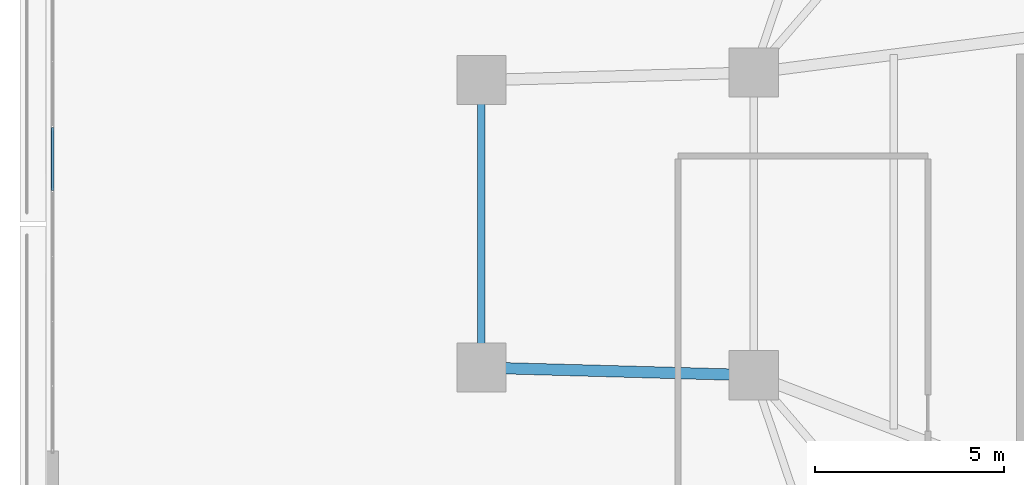
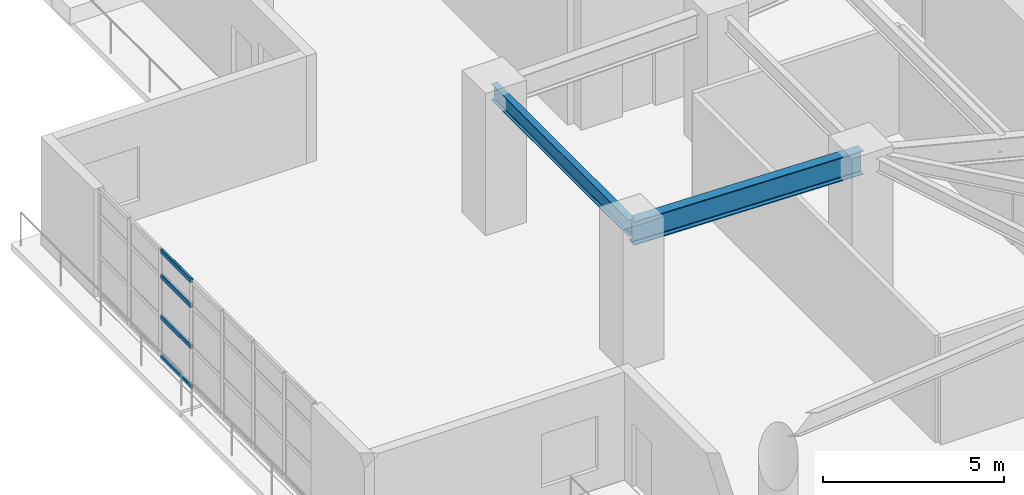
# One storey, part 5 of 23: 4 members, 2 beams, 1 element without a shape of its own.
"""IFC4 building model written with IfcOpenShell, lengths in metres."""

from ifc_helpers import new_model, si_unit, direction, frame, origin, origin_2d, place, context, subcontext, project, spatial, hollow_rectangle, i_section, extrude, material, layer, layer_set, material_profile, profile_set, type_object, element, aggregate, save


model = new_model("IFC4")

# Units and contexts
model_context = context("Model", 3, precision=1e-05, world=origin(), true_north=direction((0.0, 1.0)))
body_context = subcontext(model_context, "Body", "Model", "MODEL_VIEW")
ifc_project = project(units=[si_unit("LENGTHUNIT", "METRE"), si_unit("AREAUNIT", "SQUARE_METRE"), si_unit("VOLUMEUNIT", "CUBIC_METRE"), si_unit("PLANEANGLEUNIT", "RADIAN"), si_unit("MASSUNIT", "GRAM", prefix="KILO")], contexts=[model_context])

# Site, building, storey
site_placement = place(None, origin())
site = spatial("IfcSite", under=ifc_project, at=site_placement, CompositionType="ELEMENT")
building_placement = place(site_placement, origin())
building = spatial("IfcBuilding", under=site, at=building_placement, Name="Qingluan Cross Belvedere", CompositionType="ELEMENT")
storey_placement = place(building_placement, frame((0.0, 0.0, 5.39990234375)))
storey = spatial("IfcBuildingStorey", under=building, at=storey_placement, Name="L02", CompositionType="ELEMENT", Elevation=5.39990234375)

# Curtain wall, members
ifc_material_1 = material(Name="Thermally broken aluminium and Low-E glass", Category="aluminium")
ifc_layer = layer(ifc_material_1, 0.199951171875, Name="UnitisedCW_PodiumArrival")
ifc_layer_set = layer_set([ifc_layer], Name="Thermally broken aluminium and Low-E glass")
curtain_wall_type = type_object("IfcCurtainWallType", Name="UnitisedCW_PodiumArrival", PredefinedType="USERDEFINED", material=ifc_layer_set)
curtain_wall_placement = place(storey_placement, origin())
curtain_wall = element("IfcCurtainWall", 1, at=curtain_wall_placement, inside=storey, type_object=curtain_wall_type, Name="UnitisedCW_PodiumArrival run env:cw:L02:W", ObjectType="UNITISED CURTAIN WALL", PredefinedType="USERDEFINED")
ifc_material_2 = material(Name="Aluminium alloy 6063-T6", Category="aluminium")
ifc_material_profile_1 = material_profile(ifc_material_2, hollow_rectangle(XDim=0.074951171875, YDim=0.14990234375, WallThickness=0.00390625, InnerFilletRadius=0.00390625, OuterFilletRadius=0.008056640625, at=origin_2d()), Name="CWT150x75x4")
ifc_profile_set_1 = profile_set([ifc_material_profile_1], Name="Aluminium alloy 6063-T6")
member_type = type_object("IfcMemberType", Name="CWTransom_150", PredefinedType="USERDEFINED", material=ifc_profile_set_1)
member_1_placement = place(storey_placement, frame((-38.340087890625, 0.88720703125, 0.030029296875), z_axis=(0.0, 1.0, 0.0), x_axis=(-1.0, 0.0, 0.0)))
member_1 = element("IfcMember", 2, at=member_1_placement, type_object=member_type, Name="CW-P1 transom 5.1", ObjectType="TRANSOM", PredefinedType="USERDEFINED", context=body_context, shape_type="SweptSolid", body=[
    extrude(hollow_rectangle(XDim=0.074951171875, YDim=0.14990234375, WallThickness=0.00390625, InnerFilletRadius=0.00390625, OuterFilletRadius=0.008056640625, at=origin_2d()), origin(), (0.0, 0.0, 1.0), 1.654296875),
])
member_2_placement = place(storey_placement, frame((-38.340087890625, 0.88720703125, 1.379150390625), z_axis=(0.0, 1.0, 0.0), x_axis=(-1.0, 0.0, 0.0)))
member_2 = element("IfcMember", 3, at=member_2_placement, type_object=member_type, Name="CW-P1 transom 5.2", ObjectType="TRANSOM", PredefinedType="USERDEFINED", context=body_context, shape_type="SweptSolid", body=[
    extrude(hollow_rectangle(XDim=0.074951171875, YDim=0.14990234375, WallThickness=0.00390625, InnerFilletRadius=0.00390625, OuterFilletRadius=0.008056640625, at=origin_2d()), origin(), (0.0, 0.0, 1.0), 1.654296875),
])
member_3_placement = place(storey_placement, frame((-38.340087890625, 0.88720703125, 2.759033203125), z_axis=(0.0, 1.0, 0.0), x_axis=(-1.0, 0.0, 0.0)))
member_3 = element("IfcMember", 4, at=member_3_placement, type_object=member_type, Name="CW-P1 transom 5.3", ObjectType="TRANSOM", PredefinedType="USERDEFINED", context=body_context, shape_type="SweptSolid", body=[
    extrude(hollow_rectangle(XDim=0.074951171875, YDim=0.14990234375, WallThickness=0.00390625, InnerFilletRadius=0.00390625, OuterFilletRadius=0.008056640625, at=origin_2d()), origin(), (0.0, 0.0, 1.0), 1.654296875),
])
member_4_placement = place(storey_placement, frame((-38.340087890625, 0.88720703125, 3.60009765625), z_axis=(0.0, 1.0, 0.0), x_axis=(-1.0, 0.0, 0.0)))
member_4 = element("IfcMember", 5, at=member_4_placement, type_object=member_type, Name="CW-P1 transom 5.4", ObjectType="TRANSOM", PredefinedType="USERDEFINED", context=body_context, shape_type="SweptSolid", body=[
    extrude(hollow_rectangle(XDim=0.074951171875, YDim=0.14990234375, WallThickness=0.00390625, InnerFilletRadius=0.00390625, OuterFilletRadius=0.008056640625, at=origin_2d()), origin(), (0.0, 0.0, 1.0), 1.654296875),
])
aggregate(curtain_wall, [member_1, member_2, member_3, member_4])

# Beams
ifc_material_3 = material(Name="Steel Q420GJB", Category="steel")
ifc_material_profile_2 = material_profile(ifc_material_3, i_section(OverallWidth=0.199951171875, OverallDepth=0.550048828125, WebThickness=0.010009765625, FlangeThickness=0.01611328125, FilletRadius=0.01611328125, at=origin_2d()), Name="HN550x200x10x16")
ifc_profile_set_2 = profile_set([ifc_material_profile_2], Name="Steel Q420GJB")
beam_type_1 = type_object("IfcBeamType", Name="Steel_Beam_HN550x200x10x16", PredefinedType="JOIST", material=ifc_profile_set_2)
beam_1_placement = place(storey_placement, frame((-27.0, -3.800048828125, 4.275146484375), z_axis=(0.0, 1.0, 0.0), x_axis=(-1.0, 0.0, 0.0)))
element("IfcBeam", 6, at=beam_1_placement, inside=storey, type_object=beam_type_1, Name="Arm W tip transverse beam L02", PredefinedType="JOIST", context=body_context, shape_type="SweptSolid", body=[
    extrude(i_section(OverallWidth=0.199951171875, OverallDepth=0.550048828125, WebThickness=0.010009765625, FlangeThickness=0.01611328125, FilletRadius=0.01611328125, at=origin_2d()), origin(), (0.0, 0.0, 1.0), 7.60009765625),
])
ifc_material_4 = material(Name="Steel Q420GJB", Category="steel")
ifc_material_profile_3 = material_profile(ifc_material_4, i_section(OverallWidth=0.300048828125, OverallDepth=0.800048828125, WebThickness=0.015380859375, FlangeThickness=0.028076171875, FilletRadius=0.030029296875, at=origin_2d()), Name="HEB800")
ifc_profile_set_3 = profile_set([ifc_material_profile_3], Name="Steel Q420GJB")
beam_type_2 = type_object("IfcBeamType", Name="Steel_Girder_HEB800", PredefinedType="USERDEFINED", material=ifc_profile_set_3)
beam_2_placement = place(storey_placement, frame((-19.800048828125, -4.0, 4.150146484375), z_axis=(-0.999614603568, 0.027760481514, 0.0), x_axis=(-0.027760481514, -0.999614603568, 0.0)))
element("IfcBeam", 7, at=beam_2_placement, inside=storey, type_object=beam_type_2, Name="Arm W outer radial girder A L02", ObjectType="GIRDER", PredefinedType="USERDEFINED", context=body_context, shape_type="SweptSolid", body=[
    extrude(i_section(OverallWidth=0.300048828125, OverallDepth=0.800048828125, WebThickness=0.015380859375, FlangeThickness=0.028076171875, FilletRadius=0.030029296875, at=origin_2d()), origin(), (0.0, 0.0, 1.0), 7.20263671875),
])

save(model, "model.ifc")
